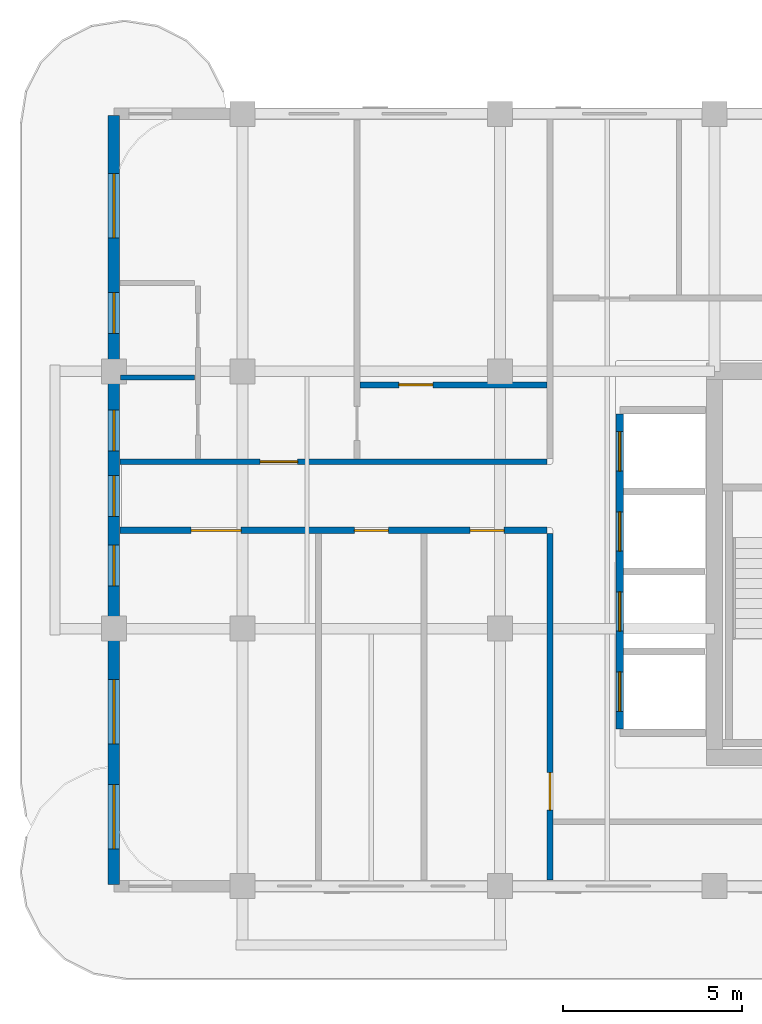
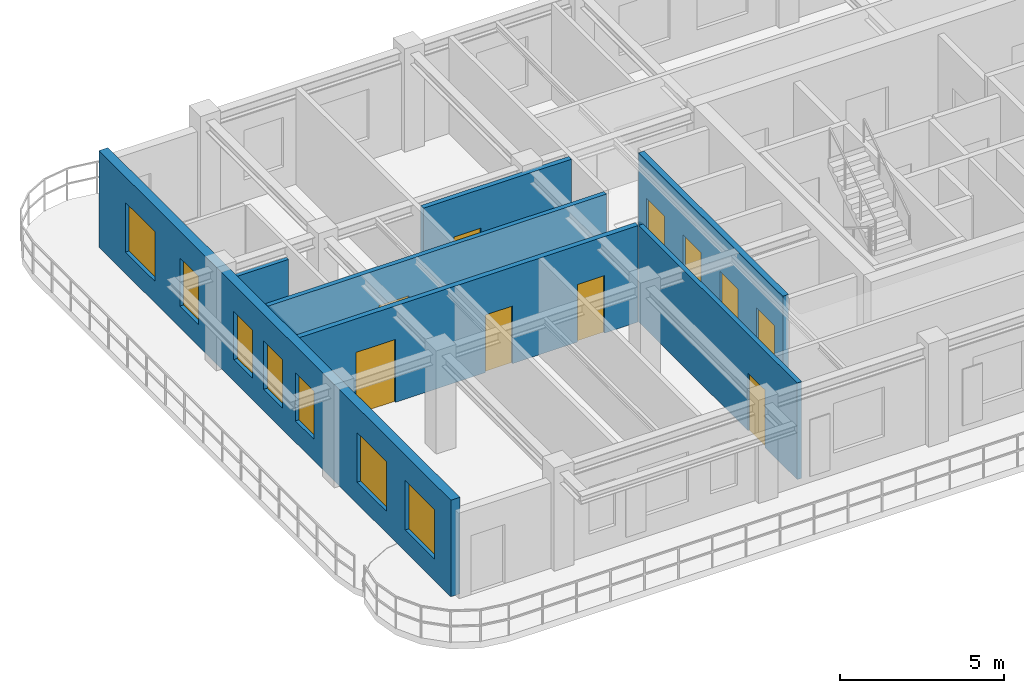
# One storey, part 2 of 7: 10 doors, 7 walls, 7 windows, 17 openings.
"""IFC4 building model written with IfcOpenShell, lengths in metres."""

import ifcopenshell
import ifcopenshell.guid

model = None  # the IFC model being written
_history = None  # IfcOwnerHistory: only IFC2X3 demands one
_inside = {}  # id of a spatial element -> (the spatial element, [elements in it])
_under = {}  # id of a project, library or spatial element -> (it, [spatial elements below it])
_declared = {}  # id of a project -> (the project, [libraries it declares])
_typed = {}  # id of a type object -> (the type object, [elements of that type])
_made_of = {}  # id of a material, layer set ... -> (it, [elements and type objects made of it])


def new_model(schema):
    """Start an empty IFC model of exactly this schema.

    Asked for "IFC4X3", IfcOpenShell would pick the latest addendum, in which some entities
    have other attributes; the version numbers below select the first issue.
    IFC2X3 requires an IfcOwnerHistory on every rooted entity: one is made here for all.
    """
    global model, _history
    if schema == "IFC4X3":
        model = ifcopenshell.file(schema_version=(4, 3, 0, 0))
    else:
        model = ifcopenshell.file(schema=schema)
    _inside.clear()
    _under.clear()
    _declared.clear()
    _typed.clear()
    _made_of.clear()
    _history = None
    if model.schema == "IFC2X3":
        org = make("IfcOrganization", Name="unknown")
        user = make(
            "IfcPersonAndOrganization",
            ThePerson=make("IfcPerson", FamilyName="unknown"),
            TheOrganization=org,
        )
        app = make(
            "IfcApplication",
            ApplicationDeveloper=org,
            Version="unknown",
            ApplicationFullName="unknown",
            ApplicationIdentifier="unknown",
        )
        _history = make(
            "IfcOwnerHistory",
            OwningUser=user,
            OwningApplication=app,
            ChangeAction="ADDED",
            CreationDate=0,
        )
    return model


def make(cls, **values):
    """One entity of the class cls with the attributes given. An attribute that is None is left unset."""
    return model.create_entity(
        cls, **{name: value for name, value in values.items() if value is not None}
    )


def rooted(cls, **values):
    """An entity with a GlobalId (a new one), such as an element, a storey or a relation."""
    return make(cls, GlobalId=ifcopenshell.guid.new(), OwnerHistory=_history, **values)


def si_unit(unit_type, name, prefix=None):
    """IfcSIUnit, for example si_unit("LENGTHUNIT", "METRE", prefix="MILLI")."""
    return make("IfcSIUnit", UnitType=unit_type, Prefix=prefix, Name=name)


def derived_unit(unit_type, elements):
    """IfcDerivedUnit: a product of units, each with its exponent."""
    return make(
        "IfcDerivedUnit",
        Elements=[
            make("IfcDerivedUnitElement", Unit=unit, Exponent=power)
            for unit, power in elements
        ],
        UnitType=unit_type,
    )


def assignment(units):
    """IfcUnitAssignment: the units of a project."""
    return None if units is None else make("IfcUnitAssignment", Units=units)


def point(xyz):
    """IfcCartesianPoint."""
    return None if xyz is None else make("IfcCartesianPoint", Coordinates=xyz)


def direction(xyz):
    """IfcDirection."""
    return None if xyz is None else make("IfcDirection", DirectionRatios=xyz)


def frame(location, z_axis=None, x_axis=None):
    """IfcAxis2Placement3D, a coordinate frame: its origin and axes. An axis left out is left unset."""
    return make(
        "IfcAxis2Placement3D",
        Location=point(location),
        Axis=direction(z_axis),
        RefDirection=direction(x_axis),
    )


def frame_2d(location, x_axis=None):
    """IfcAxis2Placement2D, a coordinate frame in the plane: its origin and x axis."""
    return make(
        "IfcAxis2Placement2D", Location=point(location), RefDirection=direction(x_axis)
    )


def origin():
    """The frame at (0, 0, 0) with its axes left unset."""
    return frame((0.0, 0.0, 0.0))


def place(relative_to, where):
    """IfcLocalPlacement: puts the frame where relative to a parent placement (None: the world)."""
    return make(
        "IfcLocalPlacement", PlacementRelTo=relative_to, RelativePlacement=where
    )


def context(
    kind, dimensions, precision=None, world=None, true_north=None, identifier=None
):
    """IfcGeometricRepresentationContext, for example the 3D "Model" context."""
    return make(
        "IfcGeometricRepresentationContext",
        ContextIdentifier=identifier,
        ContextType=kind,
        CoordinateSpaceDimension=dimensions,
        Precision=precision,
        WorldCoordinateSystem=world,
        TrueNorth=true_north,
    )


def subcontext(parent, identifier, kind, view, scale=None):
    """IfcGeometricRepresentationSubContext, for example "Body" below "Model"."""
    return make(
        "IfcGeometricRepresentationSubContext",
        ContextIdentifier=identifier,
        ContextType=kind,
        ParentContext=parent,
        TargetScale=scale,
        TargetView=view,
    )


def project(units=None, contexts=None):
    """IfcProject with its units and contexts."""
    return rooted(
        "IfcProject",
        Name="project",
        RepresentationContexts=contexts,
        UnitsInContext=assignment(units),
    )


def spatial(cls, under=None, at=None, **own):
    """A site, building, storey or space (cls), placed at a placement, below another one or the project."""
    s = rooted(cls, ObjectPlacement=at, **own)
    if under is not None:
        _under.setdefault(under.id(), (under, []))[1].append(s)
    return s


def profile(cls, at=None, kind="AREA", **sizes):
    """A parametric profile (cls). Its sizes go by their IFC names, for example OverallWidth=200.0."""
    return make(cls, ProfileType=kind, Position=at, **sizes)


def rectangle(**sizes):
    """IfcRectangleProfileDef."""
    return profile("IfcRectangleProfileDef", **sizes)


def extrude(swept, where, along, depth):
    """IfcExtrudedAreaSolid: the profile swept, set in the frame where, extruded along a direction by depth."""
    return make(
        "IfcExtrudedAreaSolid",
        SweptArea=swept,
        Position=where,
        ExtrudedDirection=direction(along),
        Depth=depth,
    )


def shape(context_of_items, identifier, shape_type, items):
    """IfcShapeRepresentation: the items that make up one representation, for example the "Body"."""
    return make(
        "IfcShapeRepresentation",
        ContextOfItems=context_of_items,
        RepresentationIdentifier=identifier,
        RepresentationType=shape_type,
        Items=items,
    )


def source(mapping_origin, context_of_items, identifier, shape_type, items):
    """IfcRepresentationMap: a shape defined once, which mapped items show again and again."""
    return make(
        "IfcRepresentationMap",
        MappingOrigin=mapping_origin,
        MappedRepresentation=shape(context_of_items, identifier, shape_type, items),
    )


def transform(
    local_origin,
    x_axis=None,
    y_axis=None,
    z_axis=None,
    scale=None,
    scale2=None,
    scale3=None,
    uniform=True,
):
    """IfcCartesianTransformationOperator3D, or its non-uniform kind. x_axis, y_axis, z_axis: its Axis1, 2, 3."""
    if uniform:
        return make(
            "IfcCartesianTransformationOperator3D",
            Axis1=direction(x_axis),
            Axis2=direction(y_axis),
            LocalOrigin=point(local_origin),
            Scale=scale,
            Axis3=direction(z_axis),
        )
    return make(
        "IfcCartesianTransformationOperator3DnonUniform",
        Axis1=direction(x_axis),
        Axis2=direction(y_axis),
        LocalOrigin=point(local_origin),
        Scale=scale,
        Axis3=direction(z_axis),
        Scale2=scale2,
        Scale3=scale3,
    )


def mapped(mapping_source, mapping_target):
    """IfcMappedItem: shows the shape of a source again, moved by a transform."""
    return make(
        "IfcMappedItem", MappingSource=mapping_source, MappingTarget=mapping_target
    )


def material(Name=None, Category=None):
    """IfcMaterial."""
    return make("IfcMaterial", Name=Name, Category=Category)


def layer(
    of_material, thickness, ventilated=None, Name=None, Category=None, Priority=None
):
    """IfcMaterialLayer: one layer of a wall or slab, of a material (None: an air gap)."""
    return make(
        "IfcMaterialLayer",
        Material=of_material,
        LayerThickness=thickness,
        IsVentilated=ventilated,
        Name=Name,
        Category=Category,
        Priority=Priority,
    )


def layer_set(layers, Name=None):
    """IfcMaterialLayerSet."""
    return make("IfcMaterialLayerSet", MaterialLayers=layers, LayerSetName=Name)


def made_of(thing, what):
    """Note that an element or type object is made of a material, layer set ...; save() writes the relation."""
    if what is not None:
        _made_of.setdefault(what.id(), (what, []))[1].append(thing)
    return thing


def type_object(cls, material=None, **own):
    """A type object (cls), such as IfcWallType, which elements share."""
    return made_of(rooted(cls, **own), material)


def type_shapes(of_type, sources):
    """Give a type object the sources (RepresentationMaps) that its elements show as mapped items."""
    of_type.RepresentationMaps = sources


def element(
    cls,
    number,
    at=None,
    inside=None,
    cuts=None,
    type_object=None,
    material=None,
    context=None,
    identifier="Body",
    shape_type=None,
    held_by="IfcProductDefinitionShape",
    body=None,
    shapes=None,
    **own,
):
    """One element of the class cls, such as IfcWall. Its Tag is "e" and its number.

    at: its placement. inside: the storey or other place that contains it. cuts: it is an
    opening in that element (IfcRelVoidsElement). A single representation is given by context,
    identifier, shape_type and body (its items); several are given by shapes. held_by: the class
    of the entity that holds the representations. save() writes the other relations.
    """
    e = rooted(cls, Tag="e%d" % number, ObjectPlacement=at, **own)
    if body is not None:
        shapes = [shape(context, identifier, shape_type, body)]
    if shapes is not None:
        e.Representation = make(held_by, Representations=shapes)
    if inside is not None:
        _inside.setdefault(inside.id(), (inside, []))[1].append(e)
    if cuts is not None:
        rooted(
            "IfcRelVoidsElement", RelatingBuildingElement=cuts, RelatedOpeningElement=e
        )
    if type_object is not None:
        _typed.setdefault(type_object.id(), (type_object, []))[1].append(e)
    return made_of(e, material)


def fill(opening, filler):
    """IfcRelFillsElement: the door or window that sits in an opening."""
    return rooted(
        "IfcRelFillsElement",
        RelatingOpeningElement=opening,
        RelatedBuildingElement=filler,
    )


def aggregate(whole, parts):
    """IfcRelAggregates: a whole, such as a stair, and the parts it consists of."""
    return rooted("IfcRelAggregates", RelatingObject=whole, RelatedObjects=parts)


def save(model, path):
    """Write the relations noted so far, then the file.

    IfcRelAggregates (storeys below a building ...), IfcRelContainedInSpatialStructure (elements
    in a storey), IfcRelDefinesByType, IfcRelAssociatesMaterial and IfcRelDeclares: one each for
    every whole, place, type object, material and project.
    """
    for whole, parts in _under.values():
        aggregate(whole, parts)
    for where, things in _inside.values():
        rooted(
            "IfcRelContainedInSpatialStructure",
            RelatedElements=things,
            RelatingStructure=where,
        )
    for kind, things in _typed.values():
        rooted("IfcRelDefinesByType", RelatedObjects=things, RelatingType=kind)
    for what, things in _made_of.values():
        rooted("IfcRelAssociatesMaterial", RelatedObjects=things, RelatingMaterial=what)
    for by, libraries in _declared.values():
        rooted("IfcRelDeclares", RelatingContext=by, RelatedDefinitions=libraries)
    model.write(path)


model = new_model("IFC4")

# Units and contexts
model_context = context("Model", 3, precision=1e-05, world=origin(), true_north=direction((0.0, 1.0)))
body_context = subcontext(model_context, "Body", "Model", "MODEL_VIEW")
ifc_project = project(units=[si_unit("LENGTHUNIT", "METRE"), si_unit("AREAUNIT", "SQUARE_METRE"), si_unit("VOLUMEUNIT", "CUBIC_METRE"), si_unit("PLANEANGLEUNIT", "RADIAN"), si_unit("MASSUNIT", "GRAM", prefix="KILO"), si_unit("THERMODYNAMICTEMPERATUREUNIT", "KELVIN"), si_unit("POWERUNIT", "WATT"), derived_unit("THERMALTRANSMITTANCEUNIT", [(si_unit("POWERUNIT", "WATT"), 1), (si_unit("AREAUNIT", "SQUARE_METRE"), -1), (si_unit("THERMODYNAMICTEMPERATUREUNIT", "KELVIN"), -1)])], contexts=[model_context])

# Site, building, storey
site_placement = place(None, origin())
site = spatial("IfcSite", under=ifc_project, at=site_placement, CompositionType="ELEMENT")
building_placement = place(site_placement, origin())
building = spatial("IfcBuilding", under=site, at=building_placement, Name="Zahravan Archway Hotel and Residences", CompositionType="ELEMENT")
storey_placement = place(building_placement, frame((0.0, 0.0, 278.89990234375)))
storey = spatial("IfcBuildingStorey", under=building, at=storey_placement, Name="L70", CompositionType="ELEMENT", Elevation=278.89990234375)

# Wall, openings, windows
ifc_material_1 = material(Name="Agra Buff Sandstone & Insulated Backup", Category="masonry")
ifc_layer_1 = layer(ifc_material_1, 0.320068359375, Name="Agra Buff Sandstone & Insulated Backup", Category="masonry")
ifc_layer_set_1 = layer_set([ifc_layer_1], Name="Agra Buff Sandstone & Insulated Backup")
wall_type_1 = type_object("IfcWallType", Name="EW-SAND-320", PredefinedType="SOLIDWALL", material=ifc_layer_set_1)
wall_1_placement = place(storey_placement, frame((18.0, 0.050048828125, 0.0), z_axis=(0.0, 0.0, 1.0), x_axis=(0.0, 1.0, 0.0)))
wall_1 = element("IfcWall", 1, at=wall_1_placement, inside=storey, type_object=wall_type_1, Name="L70 Exterior Sandstone Wall WA-W", PredefinedType="SOLIDWALL", context=body_context, shape_type="SweptSolid", body=[
    extrude(rectangle(XDim=21.5, YDim=0.320068359375, at=frame_2d((10.75, 0.0))), origin(), (0.0, 0.0, 1.0), 3.60009765625),
])
opening_1_placement = place(wall_1_placement, frame((0.989990234375, 0.0, 0.800048828125)))
opening_1 = element("IfcOpeningElement", 2, at=opening_1_placement, cuts=wall_1, Name="Opening W-02", PredefinedType="OPENING", context=body_context, shape_type="SweptSolid", body=[
    extrude(rectangle(XDim=1.800048828125, YDim=1.85009765625, at=frame_2d((0.89990234375, 0.925048828125))), frame((0.0, 0.169921875, 0.0), z_axis=(0.0, -1.0, 0.0), x_axis=(1.0, 0.0, 0.0)), (0.0, 0.0, 1.0), 0.340087890625),
])
opening_2_placement = place(wall_1_placement, frame((3.929931640625, 0.0, 0.800048828125)))
opening_2 = element("IfcOpeningElement", 3, at=opening_2_placement, cuts=wall_1, Name="Opening W-02", PredefinedType="OPENING", context=body_context, shape_type="SweptSolid", body=[
    extrude(rectangle(XDim=1.800048828125, YDim=1.85009765625, at=frame_2d((0.89990234375, 0.925048828125))), frame((0.0, 0.169921875, 0.0), z_axis=(0.0, -1.0, 0.0), x_axis=(1.0, 0.0, 0.0)), (0.0, 0.0, 1.0), 0.340087890625),
])
opening_3_placement = place(wall_1_placement, frame((8.345947265625, 0.0, 0.800048828125)))
opening_3 = element("IfcOpeningElement", 4, at=opening_3_placement, cuts=wall_1, Name="Opening W-05", PredefinedType="OPENING", context=body_context, shape_type="SweptSolid", body=[
    extrude(rectangle(XDim=1.14990234375, YDim=1.800048828125, at=frame_2d((0.574951171875, 0.89990234375))), frame((0.0, 0.169921875, 0.0), z_axis=(0.0, -1.0, 0.0), x_axis=(1.0, 0.0, 0.0)), (0.0, 0.0, 1.0), 0.340087890625),
])
opening_4_placement = place(wall_1_placement, frame((10.284912109375, 0.0, 0.800048828125)))
opening_4 = element("IfcOpeningElement", 5, at=opening_4_placement, cuts=wall_1, Name="Opening W-05", PredefinedType="OPENING", context=body_context, shape_type="SweptSolid", body=[
    extrude(rectangle(XDim=1.14990234375, YDim=1.800048828125, at=frame_2d((0.574951171875, 0.89990234375))), frame((0.0, 0.169921875, 0.0), z_axis=(0.0, -1.0, 0.0), x_axis=(1.0, 0.0, 0.0)), (0.0, 0.0, 1.0), 0.340087890625),
])
opening_5_placement = place(wall_1_placement, frame((12.114013671875, 0.0, 0.800048828125)))
opening_5 = element("IfcOpeningElement", 6, at=opening_5_placement, cuts=wall_1, Name="Opening W-05", PredefinedType="OPENING", context=body_context, shape_type="SweptSolid", body=[
    extrude(rectangle(XDim=1.14990234375, YDim=1.800048828125, at=frame_2d((0.574951171875, 0.89990234375))), frame((0.0, 0.169921875, 0.0), z_axis=(0.0, -1.0, 0.0), x_axis=(1.0, 0.0, 0.0)), (0.0, 0.0, 1.0), 0.340087890625),
])
opening_6_placement = place(wall_1_placement, frame((15.406005859375, 0.0, 0.800048828125)))
opening_6 = element("IfcOpeningElement", 7, at=opening_6_placement, cuts=wall_1, Name="Opening W-05", PredefinedType="OPENING", context=body_context, shape_type="SweptSolid", body=[
    extrude(rectangle(XDim=1.14990234375, YDim=1.800048828125, at=frame_2d((0.574951171875, 0.89990234375))), frame((0.0, 0.169921875, 0.0), z_axis=(0.0, -1.0, 0.0), x_axis=(1.0, 0.0, 0.0)), (0.0, 0.0, 1.0), 0.340087890625),
])
opening_7_placement = place(wall_1_placement, frame((18.0791015625, 0.0, 0.800048828125)))
opening_7 = element("IfcOpeningElement", 8, at=opening_7_placement, cuts=wall_1, Name="Opening W-02", PredefinedType="OPENING", context=body_context, shape_type="SweptSolid", body=[
    extrude(rectangle(XDim=1.800048828125, YDim=1.85009765625, at=frame_2d((0.89990234375, 0.925048828125))), frame((0.0, 0.169921875, 0.0), z_axis=(0.0, -1.0, 0.0), x_axis=(1.0, 0.0, 0.0)), (0.0, 0.0, 1.0), 0.340087890625),
])
ifc_material_2 = material(Name="Bronze-Anodized Thermal-Break Aluminium & Low-E Glass", Category="aluminium")
window_type_1 = type_object("IfcWindowType", Name="WIN-TWR-1800", PartitioningType="DOUBLE_PANEL_VERTICAL", PredefinedType="WINDOW", material=ifc_material_2)
shared_shape_1 = source(origin(), body_context, "Body", "SweptSolid", [
    extrude(rectangle(XDim=1.800048828125, YDim=1.85009765625, at=frame_2d((0.89990234375, 0.925048828125))), frame((0.0, 0.030029296875, 0.0), z_axis=(0.0, -1.0, 0.0), x_axis=(1.0, 0.0, 0.0)), (0.0, 0.0, 1.0), 0.06005859375),
])
type_shapes(window_type_1, [shared_shape_1])
window_1_placement = place(opening_1_placement, origin())
window_1 = element("IfcWindow", 9, at=window_1_placement, inside=storey, type_object=window_type_1, Name="L70 Loggia Window 17", OverallHeight=1.85009765625, OverallWidth=1.800048828125, PartitioningType="DOUBLE_PANEL_VERTICAL", PredefinedType="WINDOW", context=body_context, shape_type="MappedRepresentation", body=[
    mapped(shared_shape_1, transform((0.0, 0.0, 0.0), scale=1.0)),
])
fill(opening_1, window_1)
window_2_placement = place(opening_2_placement, origin())
window_2 = element("IfcWindow", 10, at=window_2_placement, inside=storey, type_object=window_type_1, Name="L70 Loggia Window 18", OverallHeight=1.85009765625, OverallWidth=1.800048828125, PartitioningType="DOUBLE_PANEL_VERTICAL", PredefinedType="WINDOW", context=body_context, shape_type="MappedRepresentation", body=[
    mapped(shared_shape_1, transform((0.0, 0.0, 0.0), scale=1.0)),
])
fill(opening_2, window_2)
window_3_placement = place(opening_7_placement, origin())
window_3 = element("IfcWindow", 11, at=window_3_placement, inside=storey, type_object=window_type_1, Name="L70 Loggia Window 23", OverallHeight=1.85009765625, OverallWidth=1.800048828125, PartitioningType="DOUBLE_PANEL_VERTICAL", PredefinedType="WINDOW", context=body_context, shape_type="MappedRepresentation", body=[
    mapped(shared_shape_1, transform((0.0, 0.0, 0.0), scale=1.0)),
])
fill(opening_7, window_3)
window_type_2 = type_object("IfcWindowType", Name="WIN-TWR-1150", PartitioningType="SINGLE_PANEL", PredefinedType="WINDOW", material=ifc_material_2)
shared_shape_2 = source(origin(), body_context, "Body", "SweptSolid", [
    extrude(rectangle(XDim=1.14990234375, YDim=1.800048828125, at=frame_2d((0.574951171875, 0.89990234375))), frame((0.0, 0.030029296875, 0.0), z_axis=(0.0, -1.0, 0.0), x_axis=(1.0, 0.0, 0.0)), (0.0, 0.0, 1.0), 0.06005859375),
])
type_shapes(window_type_2, [shared_shape_2])
window_4_placement = place(opening_3_placement, origin())
window_4 = element("IfcWindow", 12, at=window_4_placement, inside=storey, type_object=window_type_2, Name="L70 Loggia Window 19", OverallHeight=1.800048828125, OverallWidth=1.14990234375, PartitioningType="SINGLE_PANEL", PredefinedType="WINDOW", context=body_context, shape_type="MappedRepresentation", body=[
    mapped(shared_shape_2, transform((0.0, 0.0, 0.0), scale=1.0)),
])
fill(opening_3, window_4)
window_5_placement = place(opening_4_placement, origin())
window_5 = element("IfcWindow", 13, at=window_5_placement, inside=storey, type_object=window_type_2, Name="L70 Loggia Window 20", OverallHeight=1.800048828125, OverallWidth=1.14990234375, PartitioningType="SINGLE_PANEL", PredefinedType="WINDOW", context=body_context, shape_type="MappedRepresentation", body=[
    mapped(shared_shape_2, transform((0.0, 0.0, 0.0), scale=1.0)),
])
fill(opening_4, window_5)
window_6_placement = place(opening_5_placement, origin())
window_6 = element("IfcWindow", 14, at=window_6_placement, inside=storey, type_object=window_type_2, Name="L70 Loggia Window 21", OverallHeight=1.800048828125, OverallWidth=1.14990234375, PartitioningType="SINGLE_PANEL", PredefinedType="WINDOW", context=body_context, shape_type="MappedRepresentation", body=[
    mapped(shared_shape_2, transform((0.0, 0.0, 0.0), scale=1.0)),
])
fill(opening_5, window_6)
window_7_placement = place(opening_6_placement, origin())
window_7 = element("IfcWindow", 15, at=window_7_placement, inside=storey, type_object=window_type_2, Name="L70 Loggia Window 22", OverallHeight=1.800048828125, OverallWidth=1.14990234375, PartitioningType="SINGLE_PANEL", PredefinedType="WINDOW", context=body_context, shape_type="MappedRepresentation", body=[
    mapped(shared_shape_2, transform((0.0, 0.0, 0.0), scale=1.0)),
])
fill(opening_6, window_7)

# Wall, opening, door
ifc_material_3 = material(Name="Fire-Rated Gypsum & Concrete Block", Category="concrete")
ifc_layer_2 = layer(ifc_material_3, 0.159912109375, Name="Fire-Rated Gypsum & Concrete Block", Category="concrete")
ifc_layer_set_2 = layer_set([ifc_layer_2], Name="Fire-Rated Gypsum & Concrete Block")
wall_type_2 = type_object("IfcWallType", Name="PW-CORR-160", PredefinedType="PARTITIONING", material=ifc_layer_set_2)
wall_2_placement = place(storey_placement, frame((18.16796875, 11.8701171875, 0.0), z_axis=(0.0, 0.0, 1.0), x_axis=(1.0, 0.0, 0.0)))
wall_2 = element("IfcWall", 16, at=wall_2_placement, inside=storey, type_object=wall_type_2, Name="L70 Partition WA-CN", PredefinedType="PARTITIONING", context=body_context, shape_type="SweptSolid", body=[
    extrude(rectangle(XDim=11.942138671875, YDim=0.159912109375, at=frame_2d((5.97119140625, 0.0))), origin(), (0.0, 0.0, 1.0), 3.60009765625),
])
opening_8_placement = place(wall_2_placement, frame((3.922119140625, 0.0, 0.0)))
opening_8 = element("IfcOpeningElement", 17, at=opening_8_placement, cuts=wall_2, Name="Opening D-U1", PredefinedType="OPENING", context=body_context, shape_type="SweptSolid", body=[
    extrude(rectangle(XDim=1.050048828125, YDim=2.25, at=frame_2d((0.52490234375, 1.125))), frame((0.0, 0.08984375, 0.0), z_axis=(0.0, -1.0, 0.0), x_axis=(1.0, 0.0, 0.0)), (0.0, 0.0, 1.0), 0.179931640625),
])
ifc_material_4 = material(Name="Hardwood Veneer Timber", Category="wood")
door_type_1 = type_object("IfcDoorType", Name="ID-UNIT-1050", OperationType="NOTDEFINED", PredefinedType="DOOR", material=ifc_material_4)
shared_shape_3 = source(origin(), body_context, "Body", "SweptSolid", [
    extrude(rectangle(XDim=1.050048828125, YDim=2.25, at=frame_2d((0.52490234375, 1.125))), frame((0.0, 0.02490234375, 0.0), z_axis=(0.0, -1.0, 0.0), x_axis=(1.0, 0.0, 0.0)), (0.0, 0.0, 1.0), 0.050048828125),
])
type_shapes(door_type_1, [shared_shape_3])
door_1_placement = place(opening_8_placement, origin())
door_1 = element("IfcDoor", 18, at=door_1_placement, inside=storey, type_object=door_type_1, Name="L70 Flat N1 Entrance Door", OperationType="SINGLE_SWING_LEFT", OverallHeight=2.25, OverallWidth=1.050048828125, PredefinedType="DOOR", context=body_context, shape_type="MappedRepresentation", body=[
    mapped(shared_shape_3, transform((0.0, 0.0, 0.0), scale=1.0)),
])
fill(opening_8, door_1)

wall_3_placement = place(storey_placement, frame((30.199951171875, 0.16796875, 0.0), z_axis=(0.0, 0.0, 1.0), x_axis=(0.0, 1.0, 0.0)))
wall_3 = element("IfcWall", 19, at=wall_3_placement, inside=storey, type_object=wall_type_2, Name="L70 Partition WA-SRW", PredefinedType="PARTITIONING", context=body_context, shape_type="SweptSolid", body=[
    extrude(rectangle(XDim=9.692138671875, YDim=0.159912109375, at=frame_2d((4.84619140625, 0.0))), origin(), (0.0, 0.0, 1.0), 3.60009765625),
])
opening_9_placement = place(wall_3_placement, frame((1.95703125, 0.0, 0.0)))
opening_9 = element("IfcOpeningElement", 20, at=opening_9_placement, cuts=wall_3, Name="Opening FD-L2", PredefinedType="OPENING", context=body_context, shape_type="SweptSolid", body=[
    extrude(rectangle(XDim=1.050048828125, YDim=2.14990234375, at=frame_2d((0.52490234375, 1.074951171875))), frame((0.0, 0.08984375, 0.0), z_axis=(0.0, -1.0, 0.0), x_axis=(1.0, 0.0, 0.0)), (0.0, 0.0, 1.0), 0.179931640625),
])
ifc_material_5 = material(Name="Fire-Rated Painted Steel", Category="steel")
door_type_2 = type_object("IfcDoorType", Name="FD-LOBBY-1100", OperationType="NOTDEFINED", PredefinedType="DOOR", material=ifc_material_5)
shared_shape_4 = source(origin(), body_context, "Body", "SweptSolid", [
    extrude(rectangle(XDim=1.050048828125, YDim=2.14990234375, at=frame_2d((0.52490234375, 1.074951171875))), frame((0.0, 0.02490234375, 0.0), z_axis=(0.0, -1.0, 0.0), x_axis=(1.0, 0.0, 0.0)), (0.0, 0.0, 1.0), 0.050048828125),
])
type_shapes(door_type_2, [shared_shape_4])
door_2_placement = place(opening_9_placement, origin())
door_2 = element("IfcDoor", 21, at=door_2_placement, inside=storey, type_object=door_type_2, Name="L70 South Riser Corridor Door", OperationType="SINGLE_SWING_RIGHT", OverallHeight=2.14990234375, OverallWidth=1.050048828125, PredefinedType="DOOR", context=body_context, shape_type="MappedRepresentation", body=[
    mapped(shared_shape_4, transform((0.0, 0.0, 0.0), scale=1.0)),
])
fill(opening_9, door_2)

# Wall, openings, doors
ifc_layer_3 = layer(ifc_material_3, 0.179931640625, Name="Fire-Rated Gypsum & Concrete Block", Category="concrete")
ifc_layer_set_3 = layer_set([ifc_layer_3], Name="Fire-Rated Gypsum & Concrete Block")
wall_type_3 = type_object("IfcWallType", Name="PW-CORR-180", PredefinedType="PARTITIONING", material=ifc_layer_set_3)
wall_4_placement = place(storey_placement, frame((18.16796875, 9.949951171875, 0.0), z_axis=(0.0, 0.0, 1.0), x_axis=(1.0, 0.0, 0.0)))
wall_4 = element("IfcWall", 22, at=wall_4_placement, inside=storey, type_object=wall_type_3, Name="L70 Partition WA-CS", PredefinedType="PARTITIONING", context=body_context, shape_type="SweptSolid", body=[
    extrude(rectangle(XDim=11.942138671875, YDim=0.179931640625, at=frame_2d((5.97119140625, 0.0))), origin(), (0.0, 0.0, 1.0), 3.60009765625),
])
opening_10_placement = place(wall_4_placement, frame((1.991943359375, 0.0, 0.0)))
opening_10 = element("IfcOpeningElement", 23, at=opening_10_placement, cuts=wall_4, Name="Opening D-P1", PredefinedType="OPENING", context=body_context, shape_type="SweptSolid", body=[
    extrude(rectangle(XDim=1.39990234375, YDim=2.35009765625, at=frame_2d((0.699951171875, 1.175048828125))), frame((0.0, 0.10009765625, 0.0), z_axis=(0.0, -1.0, 0.0), x_axis=(1.0, 0.0, 0.0)), (0.0, 0.0, 1.0), 0.199951171875),
])
opening_11_placement = place(wall_4_placement, frame((6.556884765625, 0.0, 0.0)))
opening_11 = element("IfcOpeningElement", 24, at=opening_11_placement, cuts=wall_4, Name="Opening D-I1", PredefinedType="OPENING", context=body_context, shape_type="SweptSolid", body=[
    extrude(rectangle(XDim=0.949951171875, YDim=2.14990234375, at=frame_2d((0.47509765625, 1.074951171875))), frame((0.0, 0.10009765625, 0.0), z_axis=(0.0, -1.0, 0.0), x_axis=(1.0, 0.0, 0.0)), (0.0, 0.0, 1.0), 0.199951171875),
])
opening_12_placement = place(wall_4_placement, frame((9.797119140625, 0.0, 0.0)))
opening_12 = element("IfcOpeningElement", 25, at=opening_12_placement, cuts=wall_4, Name="Opening D-I1", PredefinedType="OPENING", context=body_context, shape_type="SweptSolid", body=[
    extrude(rectangle(XDim=0.949951171875, YDim=2.14990234375, at=frame_2d((0.47509765625, 1.074951171875))), frame((0.0, 0.10009765625, 0.0), z_axis=(0.0, -1.0, 0.0), x_axis=(1.0, 0.0, 0.0)), (0.0, 0.0, 1.0), 0.199951171875),
])
ifc_material_6 = material(Name="Bronze-Anodized Glazed Aluminium", Category="aluminium")
door_type_3 = type_object("IfcDoorType", Name="ID-PUBLIC-1400", OperationType="DOUBLE_DOOR_SINGLE_SWING", PredefinedType="DOOR", material=ifc_material_6)
shared_shape_5 = source(origin(), body_context, "Body", "SweptSolid", [
    extrude(rectangle(XDim=1.39990234375, YDim=2.35009765625, at=frame_2d((0.699951171875, 1.175048828125))), frame((0.0, 0.02490234375, 0.0), z_axis=(0.0, -1.0, 0.0), x_axis=(1.0, 0.0, 0.0)), (0.0, 0.0, 1.0), 0.050048828125),
])
type_shapes(door_type_3, [shared_shape_5])
door_3_placement = place(opening_10_placement, origin())
door_3 = element("IfcDoor", 26, at=door_3_placement, inside=storey, type_object=door_type_3, Name="L70 Cinema Salon Door", OperationType="DOUBLE_DOOR_SINGLE_SWING", OverallHeight=2.35009765625, OverallWidth=1.39990234375, PredefinedType="DOOR", context=body_context, shape_type="MappedRepresentation", body=[
    mapped(shared_shape_5, transform((0.0, 0.0, 0.0), scale=1.0)),
])
fill(opening_10, door_3)
door_type_4 = type_object("IfcDoorType", Name="ID-INT-950", OperationType="NOTDEFINED", PredefinedType="DOOR", material=ifc_material_4)
shared_shape_6 = source(origin(), body_context, "Body", "SweptSolid", [
    extrude(rectangle(XDim=0.949951171875, YDim=2.14990234375, at=frame_2d((0.47509765625, 1.074951171875))), frame((0.0, 0.02490234375, 0.0), z_axis=(0.0, -1.0, 0.0), x_axis=(1.0, 0.0, 0.0)), (0.0, 0.0, 1.0), 0.050048828125),
])
type_shapes(door_type_4, [shared_shape_6])
door_4_placement = place(opening_11_placement, origin())
door_4 = element("IfcDoor", 27, at=door_4_placement, inside=storey, type_object=door_type_4, Name="L70 Boardroom Door", OperationType="SINGLE_SWING_LEFT", OverallHeight=2.14990234375, OverallWidth=0.949951171875, PredefinedType="DOOR", context=body_context, shape_type="MappedRepresentation", body=[
    mapped(shared_shape_6, transform((0.0, 0.0, 0.0), scale=1.0)),
])
fill(opening_11, door_4)
door_5_placement = place(opening_12_placement, origin())
door_5 = element("IfcDoor", 28, at=door_5_placement, inside=storey, type_object=door_type_4, Name="L70 Study Office Door", OperationType="SINGLE_SWING_RIGHT", OverallHeight=2.14990234375, OverallWidth=0.949951171875, PredefinedType="DOOR", context=body_context, shape_type="MappedRepresentation", body=[
    mapped(shared_shape_6, transform((0.0, 0.0, 0.0), scale=1.0)),
])
fill(opening_12, door_5)

ifc_layer_4 = layer(ifc_material_3, 0.199951171875, Name="Fire-Rated Gypsum & Concrete Block", Category="concrete")
ifc_layer_set_4 = layer_set([ifc_layer_4], Name="Fire-Rated Gypsum & Concrete Block")
wall_type_4 = type_object("IfcWallType", Name="PW-SHAFT-200", PredefinedType="PARTITIONING", material=ifc_layer_set_4)
wall_5_placement = place(storey_placement, frame((32.14990234375, 4.389892578125, 0.0), z_axis=(0.0, 0.0, 1.0), x_axis=(0.0, 1.0, 0.0)))
wall_5 = element("IfcWall", 29, at=wall_5_placement, inside=storey, type_object=wall_type_4, Name="L70 Partition B3-W", PredefinedType="PARTITIONING", context=body_context, shape_type="SweptSolid", body=[
    extrude(rectangle(XDim=8.820068359375, YDim=0.199951171875, at=frame_2d((4.41015625, 0.0))), origin(), (0.0, 0.0, 1.0), 3.60009765625),
])
opening_13_placement = place(wall_5_placement, frame((0.5, 0.0, 0.0)))
opening_13 = element("IfcOpeningElement", 30, at=opening_13_placement, cuts=wall_5, Name="Opening LD", PredefinedType="OPENING", context=body_context, shape_type="SweptSolid", body=[
    extrude(rectangle(XDim=1.10009765625, YDim=2.199951171875, at=frame_2d((0.550048828125, 1.10009765625))), frame((0.0, 0.10986328125, 0.0), z_axis=(0.0, -1.0, 0.0), x_axis=(1.0, 0.0, 0.0)), (0.0, 0.0, 1.0), 0.219970703125),
])
opening_14_placement = place(wall_5_placement, frame((2.739990234375, 0.0, 0.0)))
opening_14 = element("IfcOpeningElement", 31, at=opening_14_placement, cuts=wall_5, Name="Opening LD", PredefinedType="OPENING", context=body_context, shape_type="SweptSolid", body=[
    extrude(rectangle(XDim=1.10009765625, YDim=2.199951171875, at=frame_2d((0.550048828125, 1.10009765625))), frame((0.0, 0.10986328125, 0.0), z_axis=(0.0, -1.0, 0.0), x_axis=(1.0, 0.0, 0.0)), (0.0, 0.0, 1.0), 0.219970703125),
])
opening_15_placement = place(wall_5_placement, frame((4.97998046875, 0.0, 0.0)))
opening_15 = element("IfcOpeningElement", 32, at=opening_15_placement, cuts=wall_5, Name="Opening LD", PredefinedType="OPENING", context=body_context, shape_type="SweptSolid", body=[
    extrude(rectangle(XDim=1.10009765625, YDim=2.199951171875, at=frame_2d((0.550048828125, 1.10009765625))), frame((0.0, 0.10986328125, 0.0), z_axis=(0.0, -1.0, 0.0), x_axis=(1.0, 0.0, 0.0)), (0.0, 0.0, 1.0), 0.219970703125),
])
opening_16_placement = place(wall_5_placement, frame((7.219970703125, 0.0, 0.0)))
opening_16 = element("IfcOpeningElement", 33, at=opening_16_placement, cuts=wall_5, Name="Opening LD", PredefinedType="OPENING", context=body_context, shape_type="SweptSolid", body=[
    extrude(rectangle(XDim=1.10009765625, YDim=2.199951171875, at=frame_2d((0.550048828125, 1.10009765625))), frame((0.0, 0.10986328125, 0.0), z_axis=(0.0, -1.0, 0.0), x_axis=(1.0, 0.0, 0.0)), (0.0, 0.0, 1.0), 0.219970703125),
])
ifc_material_7 = material(Name="Brushed Stainless Steel", Category="steel")
door_type_5 = type_object("IfcDoorType", Name="DR-LIFT-LD", OperationType="SLIDING_TO_LEFT", PredefinedType="DOOR", material=ifc_material_7)
shared_shape_7 = source(origin(), body_context, "Body", "SweptSolid", [
    extrude(rectangle(XDim=1.10009765625, YDim=2.199951171875, at=frame_2d((0.550048828125, 1.10009765625))), frame((0.0, 0.02490234375, 0.0), z_axis=(0.0, -1.0, 0.0), x_axis=(1.0, 0.0, 0.0)), (0.0, 0.0, 1.0), 0.050048828125),
])
type_shapes(door_type_5, [shared_shape_7])
door_6_placement = place(opening_13_placement, origin())
door_6 = element("IfcDoor", 34, at=door_6_placement, inside=storey, type_object=door_type_5, Name="L70 Lift LP-7 Sliding Landing Door", OperationType="SLIDING_TO_LEFT", OverallHeight=2.199951171875, OverallWidth=1.10009765625, PredefinedType="DOOR", context=body_context, shape_type="MappedRepresentation", body=[
    mapped(shared_shape_7, transform((0.0, 0.0, 0.0), scale=1.0)),
])
fill(opening_13, door_6)
door_7_placement = place(opening_14_placement, origin())
door_7 = element("IfcDoor", 35, at=door_7_placement, inside=storey, type_object=door_type_5, Name="L70 Lift LP-8 Sliding Landing Door", OperationType="SLIDING_TO_LEFT", OverallHeight=2.199951171875, OverallWidth=1.10009765625, PredefinedType="DOOR", context=body_context, shape_type="MappedRepresentation", body=[
    mapped(shared_shape_7, transform((0.0, 0.0, 0.0), scale=1.0)),
])
fill(opening_14, door_7)
door_8_placement = place(opening_15_placement, origin())
door_8 = element("IfcDoor", 36, at=door_8_placement, inside=storey, type_object=door_type_5, Name="L70 Lift LP-9 Sliding Landing Door", OperationType="SLIDING_TO_LEFT", OverallHeight=2.199951171875, OverallWidth=1.10009765625, PredefinedType="DOOR", context=body_context, shape_type="MappedRepresentation", body=[
    mapped(shared_shape_7, transform((0.0, 0.0, 0.0), scale=1.0)),
])
fill(opening_15, door_8)
door_9_placement = place(opening_16_placement, origin())
door_9 = element("IfcDoor", 37, at=door_9_placement, inside=storey, type_object=door_type_5, Name="L70 Lift LP-10 Sliding Landing Door", OperationType="SLIDING_TO_LEFT", OverallHeight=2.199951171875, OverallWidth=1.10009765625, PredefinedType="DOOR", context=body_context, shape_type="MappedRepresentation", body=[
    mapped(shared_shape_7, transform((0.0, 0.0, 0.0), scale=1.0)),
])
fill(opening_16, door_9)

# Wall, opening, door
ifc_material_8 = material(Name="Acoustic Stud Partition")
ifc_layer_5 = layer(ifc_material_8, 0.169921875, Name="Acoustic Stud Partition")
ifc_layer_set_5 = layer_set([ifc_layer_5], Name="Acoustic Stud Partition")
wall_type_5 = type_object("IfcWallType", Name="PW-UNIT-170", PredefinedType="PARTITIONING", material=ifc_layer_set_5)
wall_6_placement = place(storey_placement, frame((24.889892578125, 14.02001953125, 0.0), z_axis=(0.0, 0.0, 1.0), x_axis=(1.0, 0.0, 0.0)))
wall_6 = element("IfcWall", 38, at=wall_6_placement, inside=storey, type_object=wall_type_5, Name="L70 Partition FL-N1-GH", PredefinedType="PARTITIONING", context=body_context, shape_type="SweptSolid", body=[
    extrude(rectangle(XDim=5.22021484375, YDim=0.169921875, at=frame_2d((2.610107421875, 0.0))), origin(), (0.0, 0.0, 1.0), 3.60009765625),
])
opening_17_placement = place(wall_6_placement, frame((1.0849609375, 0.0, 0.0)))
opening_17 = element("IfcOpeningElement", 39, at=opening_17_placement, cuts=wall_6, Name="Opening D-I1", PredefinedType="OPENING", context=body_context, shape_type="SweptSolid", body=[
    extrude(rectangle(XDim=0.949951171875, YDim=2.14990234375, at=frame_2d((0.47509765625, 1.074951171875))), frame((0.0, 0.094970703125, 0.0), z_axis=(0.0, -1.0, 0.0), x_axis=(1.0, 0.0, 0.0)), (0.0, 0.0, 1.0), 0.18994140625),
])
door_10_placement = place(opening_17_placement, origin())
door_10 = element("IfcDoor", 40, at=door_10_placement, inside=storey, type_object=door_type_4, Name="L70 Flat N1 Bedroom 1 Door", OperationType="SINGLE_SWING_LEFT", OverallHeight=2.14990234375, OverallWidth=0.949951171875, PredefinedType="DOOR", context=body_context, shape_type="MappedRepresentation", body=[
    mapped(shared_shape_6, transform((0.0, 0.0, 0.0), scale=1.0)),
])
fill(opening_17, door_10)

# Wall
ifc_material_9 = material(Name="Moisture-Resistant Blockwork", Category="masonry")
ifc_layer_6 = layer(ifc_material_9, 0.139892578125, Name="Moisture-Resistant Blockwork", Category="masonry")
ifc_layer_set_6 = layer_set([ifc_layer_6], Name="Moisture-Resistant Blockwork")
wall_type_6 = type_object("IfcWallType", Name="PW-WET-140", PredefinedType="PARTITIONING", material=ifc_layer_set_6)
wall_7_placement = place(storey_placement, frame((18.18994140625, 14.219970703125, 0.0), z_axis=(0.0, 0.0, 1.0), x_axis=(1.0, 0.0, 0.0)))
element("IfcWall", 41, at=wall_7_placement, inside=storey, type_object=wall_type_6, Name="L70 Partition FL-N1-BM", PredefinedType="PARTITIONING", context=body_context, shape_type="SweptSolid", body=[
    extrude(rectangle(XDim=2.070068359375, YDim=0.139892578125, at=frame_2d((1.03515625, 0.0))), origin(), (0.0, 0.0, 1.0), 3.18505859375),
])

save(model, "model.ifc")
